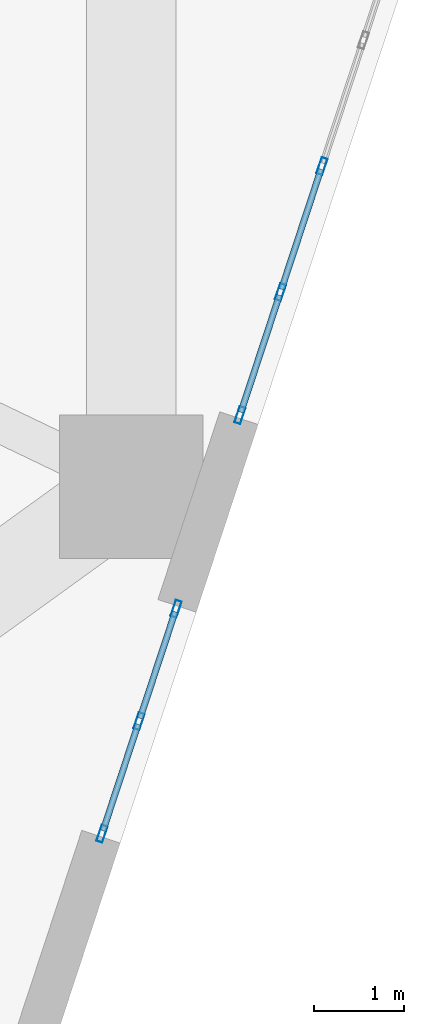
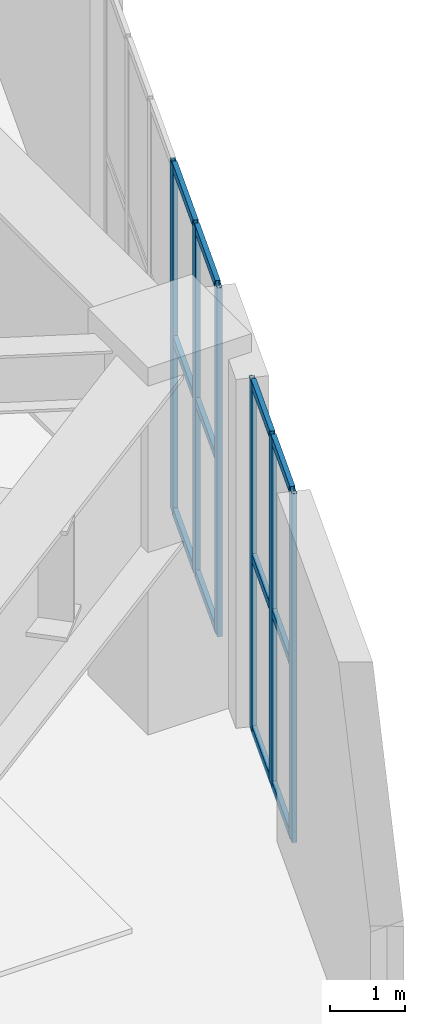
# One storey, part 2 of 14: 18 members, 2 elements without a shape of their own.
"""IFC4 building model written with IfcOpenShell, lengths in metres."""

from ifc_helpers import new_model, si_unit, direction, frame, origin, origin_2d, place, context, subcontext, project, spatial, hollow_rectangle, extrude, material, layer, layer_set, material_profile, profile_set, type_object, element, aggregate, save


model = new_model("IFC4")

# Units and contexts
model_context = context("Model", 3, precision=1e-05, world=origin(), true_north=direction((0.0, 1.0)))
body_context = subcontext(model_context, "Body", "Model", "MODEL_VIEW")
ifc_project = project(units=[si_unit("LENGTHUNIT", "METRE"), si_unit("AREAUNIT", "SQUARE_METRE"), si_unit("VOLUMEUNIT", "CUBIC_METRE"), si_unit("PLANEANGLEUNIT", "RADIAN"), si_unit("MASSUNIT", "GRAM", prefix="KILO")], contexts=[model_context])

# Site, building, storey
site_placement = place(None, origin())
site = spatial("IfcSite", under=ifc_project, at=site_placement, CompositionType="ELEMENT")
building_placement = place(site_placement, origin())
building = spatial("IfcBuilding", under=site, at=building_placement, Name="Kilnhurst Terrace Hotel", CompositionType="ELEMENT")
storey_placement = place(building_placement, frame((0.0, 0.0, 28.199951171875)))
storey = spatial("IfcBuildingStorey", under=building, at=storey_placement, Name="L05", CompositionType="ELEMENT", Elevation=28.199951171875)

# Curtain wall, members
ifc_material_1 = material(Name="Anodized Aluminium Alloy 6063-T6 and Low-E Glass", Category="aluminium")
ifc_layer = layer(ifc_material_1, 0.219970703125, Name="Anodized Aluminium Alloy 6063-T6 and Low-E Glass")
ifc_layer_set = layer_set([ifc_layer], Name="Anodized Aluminium Alloy 6063-T6 and Low-E Glass")
curtain_wall_type = type_object("IfcCurtainWallType", Name="CW-POD-TERR", PredefinedType="NOTDEFINED", material=ifc_layer_set)
curtain_wall_1_placement = place(storey_placement, origin())
curtain_wall_1 = element("IfcCurtainWall", 1, at=curtain_wall_1_placement, inside=storey, type_object=curtain_wall_type, Name="L05 Curtain Wall CW-L05-F2-1", PredefinedType="NOTDEFINED")
ifc_material_2 = material(Name="Extruded Aluminium Alloy 6063-T6", Category="aluminium")
ifc_material_profile_1 = material_profile(ifc_material_2, hollow_rectangle(XDim=0.070068359375, YDim=0.18994140625, WallThickness=0.00390625, at=origin_2d()), Name="CWM70X190")
ifc_profile_set_1 = profile_set([ifc_material_profile_1], Name="Extruded Aluminium Alloy 6063-T6")
member_type_1 = type_object("IfcMemberType", Name="MEM-CWM70X190", PredefinedType="MULLION", material=ifc_profile_set_1)
member_1_placement = place(storey_placement, frame((21.17333984375, -17.363525390625, 0.0), z_axis=(0.0, 0.0, 1.0), x_axis=(-0.949752799347, 0.313000990627, 0.0)))
member_1 = element("IfcMember", 2, at=member_1_placement, type_object=member_type_1, Name="CWT-2 mullion 1", PredefinedType="MULLION", context=body_context, shape_type="SweptSolid", body=[
    extrude(hollow_rectangle(XDim=0.070068359375, YDim=0.18994140625, WallThickness=0.00390625, at=origin_2d()), origin(), (0.0, 0.0, 1.0), 5.699951171875),
])
member_2_placement = place(storey_placement, frame((21.5859375, -16.111328125, 0.0), z_axis=(0.0, 0.0, 1.0), x_axis=(-0.949752799347, 0.313000990627, 0.0)))
member_2 = element("IfcMember", 3, at=member_2_placement, type_object=member_type_1, Name="CWT-2 mullion 2", PredefinedType="MULLION", context=body_context, shape_type="SweptSolid", body=[
    extrude(hollow_rectangle(XDim=0.070068359375, YDim=0.18994140625, WallThickness=0.00390625, at=origin_2d()), origin(), (0.0, 0.0, 1.0), 5.699951171875),
])
member_3_placement = place(storey_placement, frame((21.998779296875, -14.859130859375, 0.0), z_axis=(0.0, 0.0, 1.0), x_axis=(-0.949752799347, 0.313000990627, 0.0)))
member_3 = element("IfcMember", 4, at=member_3_placement, type_object=member_type_1, Name="CWT-2 mullion 3", PredefinedType="MULLION", context=body_context, shape_type="SweptSolid", body=[
    extrude(hollow_rectangle(XDim=0.070068359375, YDim=0.18994140625, WallThickness=0.00390625, at=origin_2d()), origin(), (0.0, 0.0, 1.0), 5.699951171875),
])

curtain_wall_2_placement = place(storey_placement, origin())
curtain_wall_2 = element("IfcCurtainWall", 5, at=curtain_wall_2_placement, inside=storey, type_object=curtain_wall_type, Name="L05 Curtain Wall CW-L05-F2-2", PredefinedType="NOTDEFINED")
member_4_placement = place(storey_placement, frame((22.709228515625, -12.703125, 0.0), z_axis=(0.0, 0.0, 1.0), x_axis=(-0.949756996422, 0.312988254967, 0.0)))
member_4 = element("IfcMember", 6, at=member_4_placement, type_object=member_type_1, Name="CWT-2 mullion 1", PredefinedType="MULLION", context=body_context, shape_type="SweptSolid", body=[
    extrude(hollow_rectangle(XDim=0.070068359375, YDim=0.18994140625, WallThickness=0.00390625, at=origin_2d()), origin(), (0.0, 0.0, 1.0), 5.699951171875),
])
member_5_placement = place(storey_placement, frame((23.16064453125, -11.33349609375, 0.0), z_axis=(0.0, 0.0, 1.0), x_axis=(-0.949756996422, 0.312988254967, 0.0)))
member_5 = element("IfcMember", 7, at=member_5_placement, type_object=member_type_1, Name="CWT-2 mullion 2", PredefinedType="MULLION", context=body_context, shape_type="SweptSolid", body=[
    extrude(hollow_rectangle(XDim=0.070068359375, YDim=0.18994140625, WallThickness=0.00390625, at=origin_2d()), origin(), (0.0, 0.0, 1.0), 5.699951171875),
])
member_6_placement = place(storey_placement, frame((23.622802734375, -9.9306640625, 0.0), z_axis=(0.0, 0.0, 1.0), x_axis=(-0.949756996422, 0.312988254967, 0.0)))
member_6 = element("IfcMember", 8, at=member_6_placement, type_object=member_type_1, Name="CWT-2 mullion 3", PredefinedType="MULLION", context=body_context, shape_type="SweptSolid", body=[
    extrude(hollow_rectangle(XDim=0.070068359375, YDim=0.18994140625, WallThickness=0.00390625, at=origin_2d()), origin(), (0.0, 0.0, 1.0), 5.699951171875),
])

# Member
ifc_material_profile_2 = material_profile(ifc_material_2, hollow_rectangle(XDim=0.070068359375, YDim=0.135009765625, WallThickness=0.00390625, at=origin_2d()), Name="CWT70X135")
ifc_profile_set_2 = profile_set([ifc_material_profile_2], Name="Extruded Aluminium Alloy 6063-T6")
member_type_2 = type_object("IfcMemberType", Name="MEM-CWT70X135", PredefinedType="USERDEFINED", material=ifc_profile_set_2)
member_7_placement = place(storey_placement, frame((21.184326171875, -17.330322265625, 0.03515625), z_axis=(0.313058267993, 0.949733921075, 0.0), x_axis=(-0.949733921075, 0.313058267993, 0.0)))
member_7 = element("IfcMember", 9, at=member_7_placement, type_object=member_type_2, Name="CWT-2 transom 1.1", ObjectType="TRANSOM", PredefinedType="USERDEFINED", context=body_context, shape_type="SweptSolid", body=[
    extrude(hollow_rectangle(XDim=0.070068359375, YDim=0.135009765625, WallThickness=0.00390625, at=origin_2d()), origin(), (0.0, 0.0, 1.0), 1.24853515625),
])

member_8_placement = place(storey_placement, frame((21.184326171875, -17.330322265625, 2.85009765625), z_axis=(0.313058267993, 0.949733921075, 0.0), x_axis=(-0.949733921075, 0.313058267993, 0.0)))
member_8 = element("IfcMember", 10, at=member_8_placement, type_object=member_type_2, Name="CWT-2 transom 1.2", ObjectType="TRANSOM", PredefinedType="USERDEFINED", context=body_context, shape_type="SweptSolid", body=[
    extrude(hollow_rectangle(XDim=0.070068359375, YDim=0.135009765625, WallThickness=0.00390625, at=origin_2d()), origin(), (0.0, 0.0, 1.0), 1.24853515625),
])

member_9_placement = place(storey_placement, frame((21.184326171875, -17.330322265625, 5.6650390625), z_axis=(0.313058267993, 0.949733921075, 0.0), x_axis=(-0.949733921075, 0.313058267993, 0.0)))
member_9 = element("IfcMember", 11, at=member_9_placement, type_object=member_type_2, Name="CWT-2 transom 1.3", ObjectType="TRANSOM", PredefinedType="USERDEFINED", context=body_context, shape_type="SweptSolid", body=[
    extrude(hollow_rectangle(XDim=0.070068359375, YDim=0.135009765625, WallThickness=0.00390625, at=origin_2d()), origin(), (0.0, 0.0, 1.0), 1.24853515625),
])

member_10_placement = place(storey_placement, frame((21.596923828125, -16.078125, 0.03515625), z_axis=(0.313058267993, 0.949733921075, 0.0), x_axis=(-0.949733921075, 0.313058267993, 0.0)))
member_10 = element("IfcMember", 12, at=member_10_placement, type_object=member_type_2, Name="CWT-2 transom 2.1", ObjectType="TRANSOM", PredefinedType="USERDEFINED", context=body_context, shape_type="SweptSolid", body=[
    extrude(hollow_rectangle(XDim=0.070068359375, YDim=0.135009765625, WallThickness=0.00390625, at=origin_2d()), origin(), (0.0, 0.0, 1.0), 1.24853515625),
])

member_11_placement = place(storey_placement, frame((21.596923828125, -16.078125, 2.85009765625), z_axis=(0.313058267993, 0.949733921075, 0.0), x_axis=(-0.949733921075, 0.313058267993, 0.0)))
member_11 = element("IfcMember", 13, at=member_11_placement, type_object=member_type_2, Name="CWT-2 transom 2.2", ObjectType="TRANSOM", PredefinedType="USERDEFINED", context=body_context, shape_type="SweptSolid", body=[
    extrude(hollow_rectangle(XDim=0.070068359375, YDim=0.135009765625, WallThickness=0.00390625, at=origin_2d()), origin(), (0.0, 0.0, 1.0), 1.24853515625),
])

member_12_placement = place(storey_placement, frame((21.596923828125, -16.078125, 5.6650390625), z_axis=(0.313058267993, 0.949733921075, 0.0), x_axis=(-0.949733921075, 0.313058267993, 0.0)))
member_12 = element("IfcMember", 14, at=member_12_placement, type_object=member_type_2, Name="CWT-2 transom 2.3", ObjectType="TRANSOM", PredefinedType="USERDEFINED", context=body_context, shape_type="SweptSolid", body=[
    extrude(hollow_rectangle(XDim=0.070068359375, YDim=0.135009765625, WallThickness=0.00390625, at=origin_2d()), origin(), (0.0, 0.0, 1.0), 1.24853515625),
])

aggregate(curtain_wall_1, [member_1, member_2, member_3, member_7, member_8, member_9, member_10, member_11, member_12])

member_13_placement = place(storey_placement, frame((22.72021484375, -12.669921875, 0.03515625), z_axis=(0.312969878031, 0.949763052264, 0.0), x_axis=(-0.949763052264, 0.312969878031, 0.0)))
member_13 = element("IfcMember", 15, at=member_13_placement, type_object=member_type_2, Name="CWT-2 transom 1.1", ObjectType="TRANSOM", PredefinedType="USERDEFINED", context=body_context, shape_type="SweptSolid", body=[
    extrude(hollow_rectangle(XDim=0.070068359375, YDim=0.135009765625, WallThickness=0.00390625, at=origin_2d()), origin(), (0.0, 0.0, 1.0), 1.3720703125),
])

member_14_placement = place(storey_placement, frame((22.72021484375, -12.669921875, 2.85009765625), z_axis=(0.312969878031, 0.949763052264, 0.0), x_axis=(-0.949763052264, 0.312969878031, 0.0)))
member_14 = element("IfcMember", 16, at=member_14_placement, type_object=member_type_2, Name="CWT-2 transom 1.2", ObjectType="TRANSOM", PredefinedType="USERDEFINED", context=body_context, shape_type="SweptSolid", body=[
    extrude(hollow_rectangle(XDim=0.070068359375, YDim=0.135009765625, WallThickness=0.00390625, at=origin_2d()), origin(), (0.0, 0.0, 1.0), 1.3720703125),
])

member_15_placement = place(storey_placement, frame((22.72021484375, -12.669921875, 5.6650390625), z_axis=(0.312969878031, 0.949763052264, 0.0), x_axis=(-0.949763052264, 0.312969878031, 0.0)))
member_15 = element("IfcMember", 17, at=member_15_placement, type_object=member_type_2, Name="CWT-2 transom 1.3", ObjectType="TRANSOM", PredefinedType="USERDEFINED", context=body_context, shape_type="SweptSolid", body=[
    extrude(hollow_rectangle(XDim=0.070068359375, YDim=0.135009765625, WallThickness=0.00390625, at=origin_2d()), origin(), (0.0, 0.0, 1.0), 1.3720703125),
])

member_16_placement = place(storey_placement, frame((23.171630859375, -11.30029296875, 0.03515625), z_axis=(0.312842269364, 0.9498050929, 0.0), x_axis=(-0.9498050929, 0.312842269364, 0.0)))
member_16 = element("IfcMember", 18, at=member_16_placement, type_object=member_type_2, Name="CWT-2 transom 2.1", ObjectType="TRANSOM", PredefinedType="USERDEFINED", context=body_context, shape_type="SweptSolid", body=[
    extrude(hollow_rectangle(XDim=0.070068359375, YDim=0.135009765625, WallThickness=0.00390625, at=origin_2d()), origin(), (0.0, 0.0, 1.0), 1.406982421875),
])

member_17_placement = place(storey_placement, frame((23.171630859375, -11.30029296875, 2.85009765625), z_axis=(0.312842269364, 0.9498050929, 0.0), x_axis=(-0.9498050929, 0.312842269364, 0.0)))
member_17 = element("IfcMember", 19, at=member_17_placement, type_object=member_type_2, Name="CWT-2 transom 2.2", ObjectType="TRANSOM", PredefinedType="USERDEFINED", context=body_context, shape_type="SweptSolid", body=[
    extrude(hollow_rectangle(XDim=0.070068359375, YDim=0.135009765625, WallThickness=0.00390625, at=origin_2d()), origin(), (0.0, 0.0, 1.0), 1.406982421875),
])

member_18_placement = place(storey_placement, frame((23.171630859375, -11.30029296875, 5.6650390625), z_axis=(0.312842269364, 0.9498050929, 0.0), x_axis=(-0.9498050929, 0.312842269364, 0.0)))
member_18 = element("IfcMember", 20, at=member_18_placement, type_object=member_type_2, Name="CWT-2 transom 2.3", ObjectType="TRANSOM", PredefinedType="USERDEFINED", context=body_context, shape_type="SweptSolid", body=[
    extrude(hollow_rectangle(XDim=0.070068359375, YDim=0.135009765625, WallThickness=0.00390625, at=origin_2d()), origin(), (0.0, 0.0, 1.0), 1.406982421875),
])

aggregate(curtain_wall_2, [member_4, member_5, member_6, member_13, member_14, member_15, member_16, member_17, member_18])

save(model, "model.ifc")
